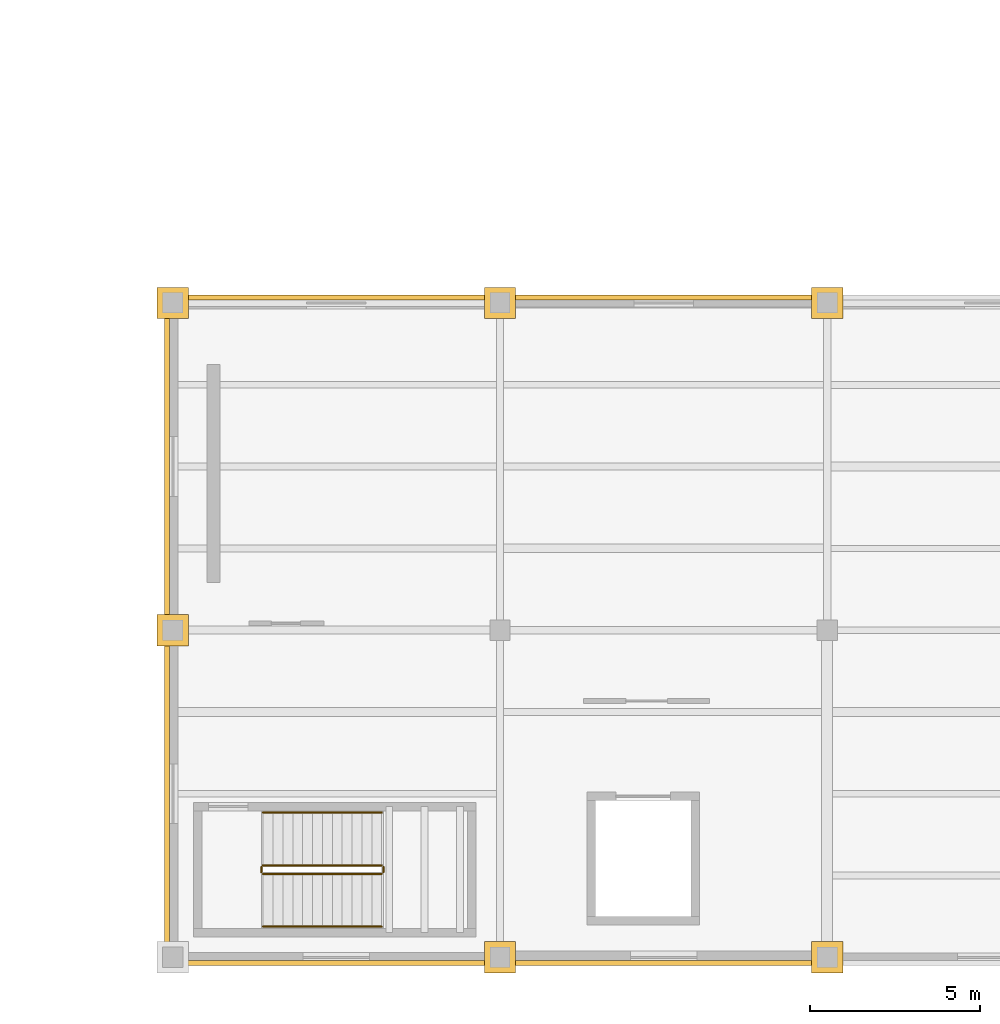
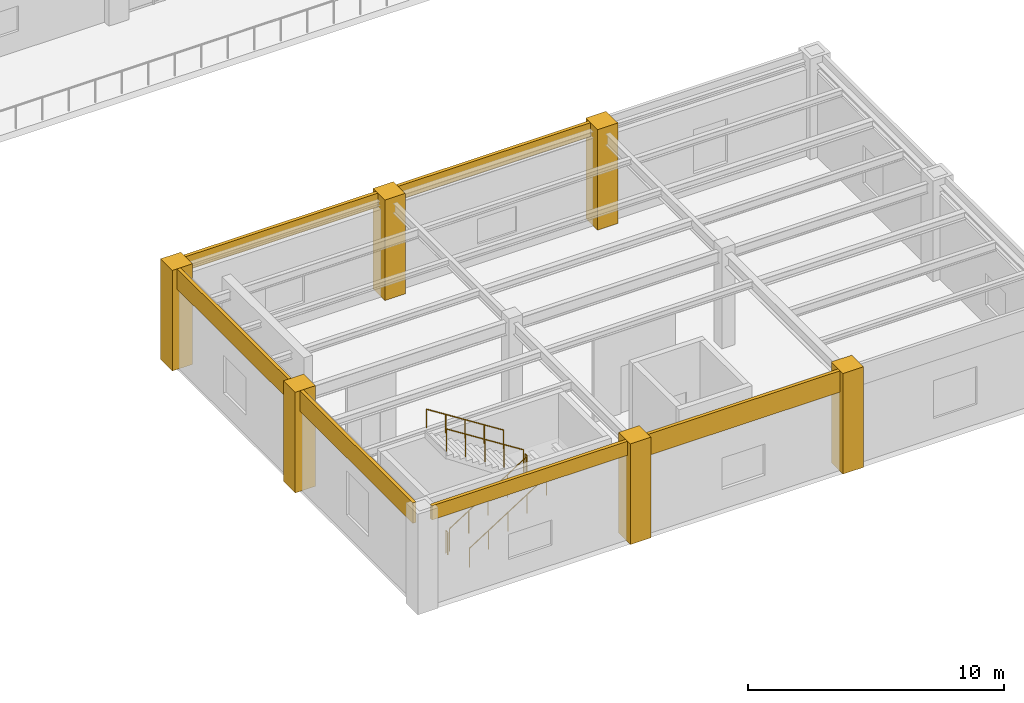
# One storey, part 72 of 83: 12 coverings, 6 railings.
"""IFC4 building model written with IfcOpenShell, lengths in metres."""

from ifc_helpers import new_model, si_unit, direction, frame, origin, origin_2d, place, context, subcontext, project, spatial, polyline, circle, outline, extrude, material, layer, layer_set, type_object, element, save


model = new_model("IFC4")

# Units and contexts
model_context = context("Model", 3, precision=1e-05, world=origin(), true_north=direction((0.0, 1.0)))
body_context = subcontext(model_context, "Body", "Model", "MODEL_VIEW")
ifc_project = project(units=[si_unit("LENGTHUNIT", "METRE"), si_unit("AREAUNIT", "SQUARE_METRE"), si_unit("VOLUMEUNIT", "CUBIC_METRE"), si_unit("PLANEANGLEUNIT", "RADIAN"), si_unit("MASSUNIT", "GRAM", prefix="KILO")], contexts=[model_context])

# Site, building, storey
site_placement = place(None, origin())
site = spatial("IfcSite", under=ifc_project, at=site_placement, CompositionType="ELEMENT")
building_placement = place(site_placement, origin())
building = spatial("IfcBuilding", under=site, at=building_placement, Name="Mavantir Sound Aquarium", CompositionType="ELEMENT")
storey_placement = place(building_placement, frame((0.0, 0.0, 10.5)))
storey = spatial("IfcBuildingStorey", under=building, at=storey_placement, Name="L02", CompositionType="ELEMENT", Elevation=10.5)

# Coverings
ifc_material_1 = material(Name="Honed Coral-Limestone & Glazed Terracotta Rainscreen Cladding", Category="masonry")
ifc_layer = layer(ifc_material_1, 0.06005859375, Name="Honed Coral-Limestone & Glazed Terracotta Rainscreen Cladding")
ifc_layer_set = layer_set([ifc_layer], Name="Honed Coral-Limestone & Glazed Terracotta Rainscreen Cladding")
covering_type = type_object("IfcCoveringType", Name="COV-CLAD-TC", PredefinedType="CLADDING", material=ifc_layer_set)
covering_1_placement = place(storey_placement, frame((0.0, 0.0, 4.1279296875)))
element("IfcCovering", 1, at=covering_1_placement, inside=storey, type_object=covering_type, Name="L02 Postmodern coral-limestone spandrel frieze 392", PredefinedType="CLADDING", context=body_context, shape_type="SweptSolid", body=[
    extrude(outline(polyline([(126.89208984375, 19.2900390625), (117.907958984375, 19.2900390625), (117.907958984375, 19.43994140625), (126.89208984375, 19.43994140625), (126.89208984375, 19.2900390625)])), origin(), (0.0, 0.0, 1.0), 0.672119140625),
])
covering_2_placement = place(storey_placement, frame((0.0, 0.0, 4.1279296875)))
element("IfcCovering", 2, at=covering_2_placement, inside=storey, type_object=covering_type, Name="L02 Postmodern coral-limestone spandrel frieze 393", PredefinedType="CLADDING", context=body_context, shape_type="SweptSolid", body=[
    extrude(outline(polyline([(117.2919921875, 19.2900390625), (108.30810546875, 19.2900390625), (108.30810546875, 19.43994140625), (117.2919921875, 19.43994140625), (117.2919921875, 19.2900390625)])), origin(), (0.0, 0.0, 1.0), 0.672119140625),
])
covering_3_placement = place(storey_placement, frame((0.0, 0.0, 3.823974609375)))
element("IfcCovering", 3, at=covering_3_placement, inside=storey, type_object=covering_type, Name="L02 Postmodern coral-limestone spandrel frieze 394", PredefinedType="CLADDING", context=body_context, shape_type="SweptSolid", body=[
    extrude(outline(polyline([(107.909912109375, 18.89208984375), (107.909912109375, 9.907958984375), (107.760009765625, 9.907958984375), (107.760009765625, 18.89208984375), (107.909912109375, 18.89208984375)])), origin(), (0.0, 0.0, 1.0), 0.97607421875),
])
covering_4_placement = place(storey_placement, frame((0.0, 0.0, 3.823974609375)))
element("IfcCovering", 4, at=covering_4_placement, inside=storey, type_object=covering_type, Name="L02 Postmodern coral-limestone spandrel frieze 395", PredefinedType="CLADDING", context=body_context, shape_type="SweptSolid", body=[
    extrude(outline(polyline([(107.909912109375, 9.2919921875), (107.909912109375, 0.30810546875), (107.760009765625, 0.30810546875), (107.760009765625, 9.2919921875), (107.909912109375, 9.2919921875)])), origin(), (0.0, 0.0, 1.0), 0.97607421875),
])
covering_5_placement = place(storey_placement, frame((0.0, 0.0, 4.1279296875)))
element("IfcCovering", 5, at=covering_5_placement, inside=storey, type_object=covering_type, Name="L02 Postmodern coral-limestone spandrel frieze 396", PredefinedType="CLADDING", context=body_context, shape_type="SweptSolid", body=[
    extrude(outline(polyline([(108.30810546875, -0.090087890625), (117.2919921875, -0.090087890625), (117.2919921875, -0.239990234375), (108.30810546875, -0.239990234375), (108.30810546875, -0.090087890625)])), origin(), (0.0, 0.0, 1.0), 0.672119140625),
])
covering_6_placement = place(storey_placement, frame((0.0, 0.0, 3.784912109375)))
element("IfcCovering", 6, at=covering_6_placement, inside=storey, type_object=covering_type, Name="L02 Postmodern coral-limestone spandrel frieze 397", PredefinedType="CLADDING", context=body_context, shape_type="SweptSolid", body=[
    extrude(outline(polyline([(117.907958984375, -0.090087890625), (126.89208984375, -0.090087890625), (126.89208984375, -0.239990234375), (117.907958984375, -0.239990234375), (117.907958984375, -0.090087890625)])), origin(), (0.0, 0.0, 1.0), 1.01513671875),
])
covering_7_placement = place(storey_placement, origin())
element("IfcCovering", 7, at=covering_7_placement, inside=storey, type_object=covering_type, Name="L02 Postmodern coral-limestone pilaster casing 423", PredefinedType="CLADDING", context=body_context, shape_type="SweptSolid", body=[
    extrude(outline(polyline([(107.5400390625, 9.139892578125), (108.4599609375, 9.139892578125), (108.4599609375, 10.06005859375), (107.5400390625, 10.06005859375), (107.5400390625, 9.139892578125)])), origin(), (0.0, 0.0, 1.0), 4.800048828125),
])
covering_8_placement = place(storey_placement, origin())
element("IfcCovering", 8, at=covering_8_placement, inside=storey, type_object=covering_type, Name="L02 Postmodern coral-limestone pilaster casing 427", PredefinedType="CLADDING", context=body_context, shape_type="SweptSolid", body=[
    extrude(outline(polyline([(107.5400390625, 18.739990234375), (108.4599609375, 18.739990234375), (108.4599609375, 19.659912109375), (107.5400390625, 19.659912109375), (107.5400390625, 18.739990234375)])), origin(), (0.0, 0.0, 1.0), 4.800048828125),
])
covering_9_placement = place(storey_placement, origin())
element("IfcCovering", 9, at=covering_9_placement, inside=storey, type_object=covering_type, Name="L02 Postmodern coral-limestone pilaster casing 432", PredefinedType="CLADDING", context=body_context, shape_type="SweptSolid", body=[
    extrude(outline(polyline([(117.139892578125, -0.4599609375), (118.06005859375, -0.4599609375), (118.06005859375, 0.4599609375), (117.139892578125, 0.4599609375), (117.139892578125, -0.4599609375)])), origin(), (0.0, 0.0, 1.0), 4.800048828125),
])
covering_10_placement = place(storey_placement, origin())
element("IfcCovering", 10, at=covering_10_placement, inside=storey, type_object=covering_type, Name="L02 Postmodern coral-limestone pilaster casing 435", PredefinedType="CLADDING", context=body_context, shape_type="SweptSolid", body=[
    extrude(outline(polyline([(117.139892578125, 18.739990234375), (118.06005859375, 18.739990234375), (118.06005859375, 19.659912109375), (117.139892578125, 19.659912109375), (117.139892578125, 18.739990234375)])), origin(), (0.0, 0.0, 1.0), 4.800048828125),
])
covering_11_placement = place(storey_placement, origin())
element("IfcCovering", 11, at=covering_11_placement, inside=storey, type_object=covering_type, Name="L02 Postmodern coral-limestone pilaster casing 440", PredefinedType="CLADDING", context=body_context, shape_type="SweptSolid", body=[
    extrude(outline(polyline([(126.739990234375, -0.4599609375), (127.659912109375, -0.4599609375), (127.659912109375, 0.4599609375), (126.739990234375, 0.4599609375), (126.739990234375, -0.4599609375)])), origin(), (0.0, 0.0, 1.0), 4.800048828125),
])
covering_12_placement = place(storey_placement, origin())
element("IfcCovering", 12, at=covering_12_placement, inside=storey, type_object=covering_type, Name="L02 Postmodern coral-limestone pilaster casing 444", PredefinedType="CLADDING", context=body_context, shape_type="SweptSolid", body=[
    extrude(outline(polyline([(126.739990234375, 18.739990234375), (127.659912109375, 18.739990234375), (127.659912109375, 19.659912109375), (126.739990234375, 19.659912109375), (126.739990234375, 18.739990234375)])), origin(), (0.0, 0.0, 1.0), 4.800048828125),
])

# Railings
ifc_material_2 = material(Name="Stainless Steel 316 and Laminated Glass Guardrail", Category="steel")
railing_type_1 = type_object("IfcRailingType", Name="RL-GUARD-110", PredefinedType="GUARDRAIL", material=ifc_material_2)
railing_1_placement = place(storey_placement, frame((110.64990234375, 2.449951171875, 0.1845703125)))
element("IfcRailing", 13, at=railing_1_placement, inside=storey, type_object=railing_type_1, Name="L02 ST6 stair guard 1", PredefinedType="GUARDRAIL", context=body_context, shape_type="SweptSolid", body=[
    extrude(circle(Radius=0.02392578125, at=origin_2d()), frame((0.0, 0.0, 1.076171875), z_axis=(0.843573748531, 0.0, 0.537013343214), x_axis=(0.0, 1.0, 0.0)), (0.0, 0.0, 1.0), 4.125244140625),
    extrude(circle(Radius=0.02099609375, at=origin_2d()), origin(), (0.0, 0.0, 1.0), 1.052001953125),
    extrude(circle(Radius=0.02099609375, at=origin_2d()), frame((0.8701171875, 0.0, 0.5537109375)), (0.0, 0.0, 1.0), 1.052001953125),
    extrude(circle(Radius=0.02099609375, at=origin_2d()), frame((1.739990234375, 0.0, 1.107666015625)), (0.0, 0.0, 1.0), 1.052001953125),
    extrude(circle(Radius=0.02099609375, at=origin_2d()), frame((2.60986328125, 0.0, 1.66162109375)), (0.0, 0.0, 1.0), 1.052001953125),
    extrude(circle(Radius=0.02099609375, at=origin_2d()), frame((3.47998046875, 0.0, 2.21533203125)), (0.0, 0.0, 1.0), 1.052001953125),
])
railing_2_placement = place(storey_placement, frame((114.179931640625, 2.5, 2.39990234375)))
element("IfcRailing", 14, at=railing_2_placement, inside=storey, type_object=railing_type_1, Name="L02 ST6 stair guard 2", PredefinedType="GUARDRAIL", context=body_context, shape_type="SweptSolid", body=[
    extrude(circle(Radius=0.02392578125, at=origin_2d()), frame((0.0, 0.0, 1.076171875), z_axis=(0.0, 1.0, 0.0), x_axis=(-1.0, 0.0, 0.0)), (0.0, 0.0, 1.0), 0.14990234375),
    extrude(circle(Radius=0.02099609375, at=origin_2d()), origin(), (0.0, 0.0, 1.0), 1.052001953125),
    extrude(circle(Radius=0.02099609375, at=origin_2d()), frame((0.0, 0.14990234375, 0.0)), (0.0, 0.0, 1.0), 1.052001953125),
])
railing_3_placement = place(storey_placement, frame((114.1298828125, 2.699951171875, 2.584716796875)))
element("IfcRailing", 15, at=railing_3_placement, inside=storey, type_object=railing_type_1, Name="L02 ST6 stair guard 3", PredefinedType="GUARDRAIL", context=body_context, shape_type="SweptSolid", body=[
    extrude(circle(Radius=0.02392578125, at=origin_2d()), frame((0.0, 0.0, 1.076171875), z_axis=(-0.843573748531, 0.0, 0.537013343214), x_axis=(0.0, -1.0, 0.0)), (0.0, 0.0, 1.0), 4.125244140625),
    extrude(circle(Radius=0.02099609375, at=origin_2d()), origin(), (0.0, 0.0, 1.0), 1.052001953125),
    extrude(circle(Radius=0.02099609375, at=origin_2d()), frame((-0.8701171875, 0.0, 0.5537109375)), (0.0, 0.0, 1.0), 1.052001953125),
    extrude(circle(Radius=0.02099609375, at=origin_2d()), frame((-1.739990234375, 0.0, 1.107666015625)), (0.0, 0.0, 1.0), 1.052001953125),
    extrude(circle(Radius=0.02099609375, at=origin_2d()), frame((-2.60986328125, 0.0, 1.66162109375)), (0.0, 0.0, 1.0), 1.052001953125),
    extrude(circle(Radius=0.02099609375, at=origin_2d()), frame((-3.47998046875, 0.0, 2.21533203125)), (0.0, 0.0, 1.0), 1.052001953125),
])
railing_4_placement = place(storey_placement, frame((110.60009765625, 2.5, 0.0)))
element("IfcRailing", 16, at=railing_4_placement, inside=storey, type_object=railing_type_1, Name="L02 ST6 stair guard 4", PredefinedType="GUARDRAIL", context=body_context, shape_type="SweptSolid", body=[
    extrude(circle(Radius=0.02392578125, at=origin_2d()), frame((0.0, 0.0, 1.076171875), z_axis=(0.0, 1.0, 0.0), x_axis=(-1.0, 0.0, 0.0)), (0.0, 0.0, 1.0), 0.14990234375),
    extrude(circle(Radius=0.02099609375, at=origin_2d()), origin(), (0.0, 0.0, 1.0), 1.052001953125),
    extrude(circle(Radius=0.02099609375, at=origin_2d()), frame((0.0, 0.14990234375, 0.0)), (0.0, 0.0, 1.0), 1.052001953125),
])
ifc_material_3 = material(Name="Brushed Stainless Steel 316 Handrail", Category="steel")
railing_type_2 = type_object("IfcRailingType", Name="RL-HR-90", PredefinedType="HANDRAIL", material=ifc_material_3)
railing_5_placement = place(storey_placement, frame((110.64990234375, 0.89990234375, 0.36962890625)))
element("IfcRailing", 17, at=railing_5_placement, inside=storey, type_object=railing_type_2, Name="L02 ST6 stair handrail 1", PredefinedType="HANDRAIL", context=body_context, shape_type="SweptSolid", body=[
    extrude(circle(Radius=0.02392578125, at=origin_2d()), frame((0.0, 0.0, 0.89111328125), z_axis=(0.843573748531, 0.0, 0.537013343214), x_axis=(0.0, 1.0, 0.0)), (0.0, 0.0, 1.0), 4.125244140625),
    extrude(circle(Radius=0.02099609375, at=origin_2d()), origin(), (0.0, 0.0, 1.0), 0.866943359375),
    extrude(circle(Radius=0.02099609375, at=origin_2d()), frame((0.8701171875, 0.0, 0.5537109375)), (0.0, 0.0, 1.0), 0.866943359375),
    extrude(circle(Radius=0.02099609375, at=origin_2d()), frame((1.739990234375, 0.0, 1.107666015625)), (0.0, 0.0, 1.0), 0.866943359375),
    extrude(circle(Radius=0.02099609375, at=origin_2d()), frame((2.60986328125, 0.0, 1.66162109375)), (0.0, 0.0, 1.0), 0.866943359375),
    extrude(circle(Radius=0.02099609375, at=origin_2d()), frame((3.47998046875, 0.0, 2.21533203125)), (0.0, 0.0, 1.0), 0.866943359375),
])
railing_6_placement = place(storey_placement, frame((114.1298828125, 4.25, 2.76953125)))
element("IfcRailing", 18, at=railing_6_placement, inside=storey, type_object=railing_type_2, Name="L02 ST6 stair handrail 2", PredefinedType="HANDRAIL", context=body_context, shape_type="SweptSolid", body=[
    extrude(circle(Radius=0.02392578125, at=origin_2d()), frame((0.0, 0.0, 0.89111328125), z_axis=(-0.843546938479, 0.0, 0.53705545578), x_axis=(0.0, -1.0, 0.0)), (0.0, 0.0, 1.0), 4.12548828125),
    extrude(circle(Radius=0.02099609375, at=origin_2d()), origin(), (0.0, 0.0, 1.0), 0.866943359375),
    extrude(circle(Radius=0.02099609375, at=origin_2d()), frame((-0.8701171875, 0.0, 0.553955078125)), (0.0, 0.0, 1.0), 0.866943359375),
    extrude(circle(Radius=0.02099609375, at=origin_2d()), frame((-1.739990234375, 0.0, 1.10791015625)), (0.0, 0.0, 1.0), 0.866943359375),
    extrude(circle(Radius=0.02099609375, at=origin_2d()), frame((-2.60986328125, 0.0, 1.66162109375)), (0.0, 0.0, 1.0), 0.866943359375),
    extrude(circle(Radius=0.02099609375, at=origin_2d()), frame((-3.47998046875, 0.0, 2.215576171875)), (0.0, 0.0, 1.0), 0.866943359375),
])

save(model, "model.ifc")
